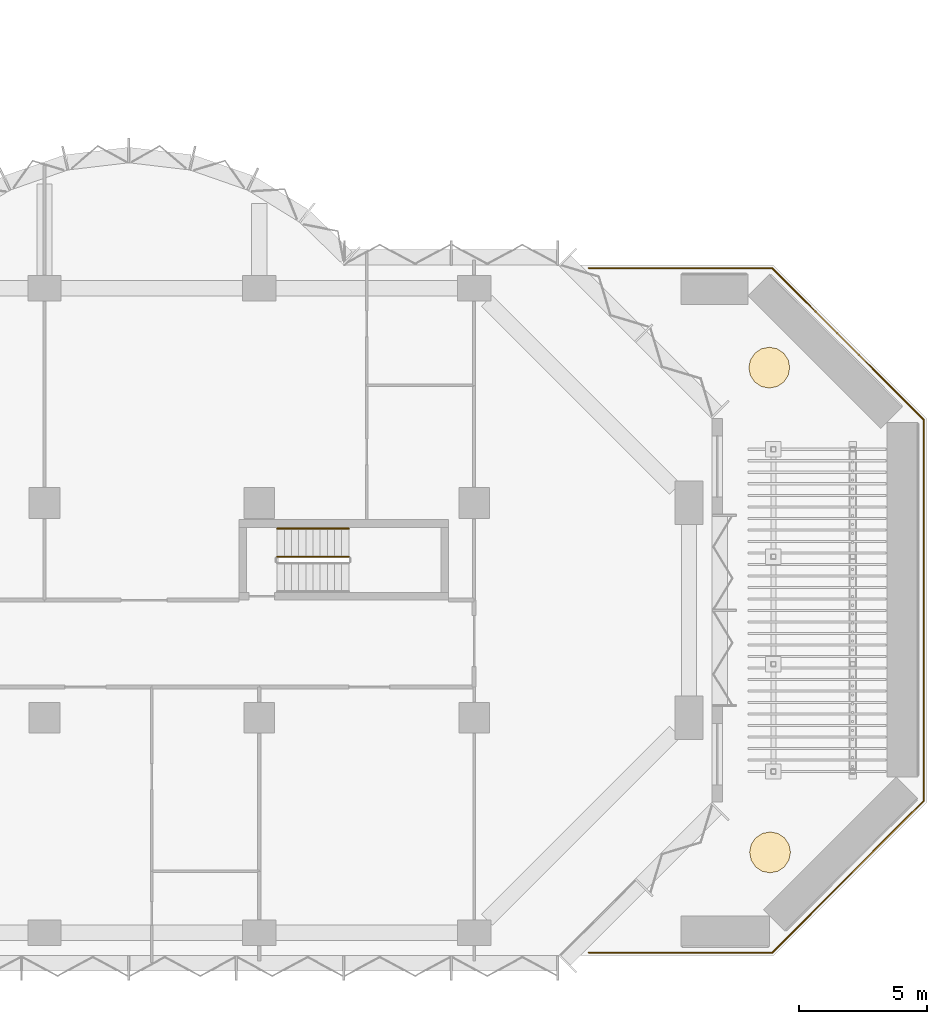
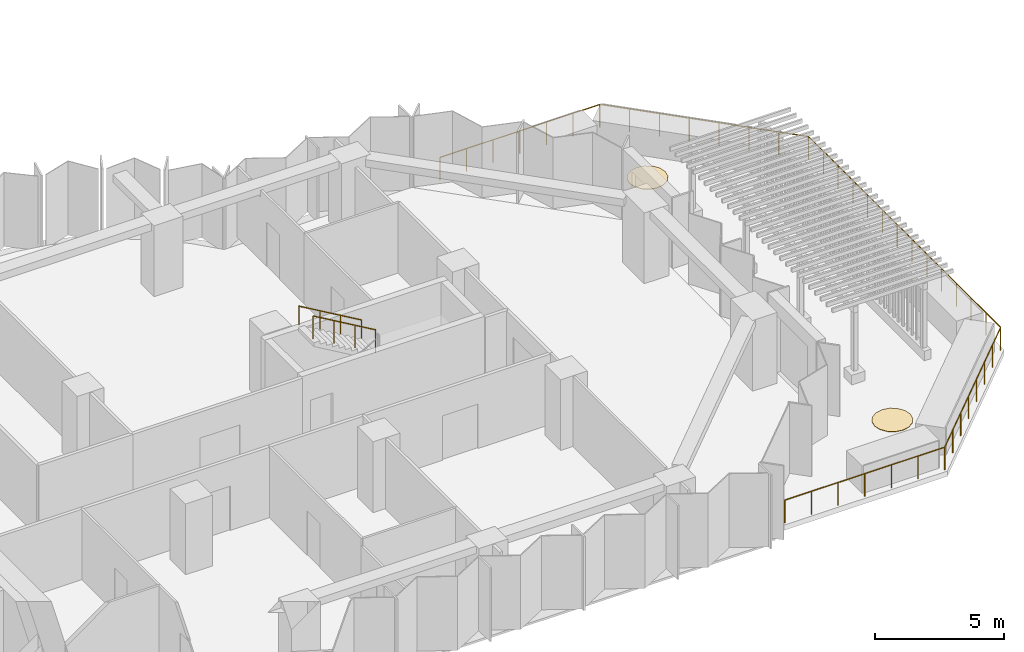
# One storey, part 18 of 18: 4 railings, 2 coverings.
"""IFC4 building model written with IfcOpenShell, lengths in metres."""

from ifc_helpers import new_model, si_unit, direction, frame, origin, origin_2d, place, context, subcontext, project, spatial, polyline, circle, outline, extrude, material, layer, layer_set, type_object, element, save


model = new_model("IFC4")

# Units and contexts
model_context = context("Model", 3, precision=1e-05, world=origin(), true_north=direction((0.0, 1.0)))
body_context = subcontext(model_context, "Body", "Model", "MODEL_VIEW")
ifc_project = project(units=[si_unit("LENGTHUNIT", "METRE"), si_unit("AREAUNIT", "SQUARE_METRE"), si_unit("VOLUMEUNIT", "CUBIC_METRE"), si_unit("PLANEANGLEUNIT", "RADIAN"), si_unit("MASSUNIT", "GRAM", prefix="KILO")], contexts=[model_context])

# Site, building, storey
site_placement = place(None, origin())
site = spatial("IfcSite", under=ifc_project, at=site_placement, CompositionType="ELEMENT")
building_placement = place(site_placement, origin())
building = spatial("IfcBuilding", under=site, at=building_placement, Name="Brevane Broadcast Tower", CompositionType="ELEMENT")
storey_placement = place(building_placement, frame((0.0, 0.0, 134.89990234375)))
storey = spatial("IfcBuildingStorey", under=building, at=storey_placement, Name="L33", CompositionType="ELEMENT", Elevation=134.89990234375)

# Railings
ifc_material_1 = material(Name="Steel S355", Category="steel")
railing_type_1 = type_object("IfcRailingType", Name="Exit stair guard", PredefinedType="GUARDRAIL", material=ifc_material_1)
railing_1_placement = place(storey_placement, frame((45.5, 14.699951171875, 1.963623046875)))
element("IfcRailing", 1, at=railing_1_placement, inside=storey, type_object=railing_type_1, Name="L33 ST-4 stair guard 3", PredefinedType="GUARDRAIL", context=body_context, shape_type="SweptSolid", body=[
    extrude(circle(Radius=0.02392578125, at=origin_2d()), frame((0.0, 0.0, 1.076171875), z_axis=(-0.863360870873, 0.0, 0.504586966384), x_axis=(0.0, -1.0, 0.0)), (0.0, 0.0, 1.0), 3.2431640625),
    extrude(circle(Radius=0.02099609375, at=origin_2d()), origin(), (0.0, 0.0, 1.0), 1.052001953125),
    extrude(circle(Radius=0.02099609375, at=origin_2d()), frame((-0.933349609375, 0.0, 0.54541015625)), (0.0, 0.0, 1.0), 1.052001953125),
    extrude(circle(Radius=0.02099609375, at=origin_2d()), frame((-1.86669921875, 0.0, 1.091064453125)), (0.0, 0.0, 1.0), 1.052001953125),
    extrude(circle(Radius=0.02099609375, at=origin_2d()), frame((-2.800048828125, 0.0, 1.636474609375)), (0.0, 0.0, 1.0), 1.052001953125),
])
railing_type_2 = type_object("IfcRailingType", Name="Exit stair handrail", PredefinedType="HANDRAIL", material=ifc_material_1)
railing_2_placement = place(storey_placement, frame((45.5, 15.800048828125, 1.963623046875)))
element("IfcRailing", 2, at=railing_2_placement, inside=storey, type_object=railing_type_2, Name="L33 ST-4 stair handrail 2", PredefinedType="HANDRAIL", context=body_context, shape_type="SweptSolid", body=[
    extrude(circle(Radius=0.02392578125, at=origin_2d()), frame((0.0, 0.0, 0.8759765625), z_axis=(-0.863360870873, 0.0, 0.504586966384), x_axis=(0.0, -1.0, 0.0)), (0.0, 0.0, 1.0), 3.2431640625),
    extrude(circle(Radius=0.02099609375, at=origin_2d()), origin(), (0.0, 0.0, 1.0), 0.851806640625),
    extrude(circle(Radius=0.02099609375, at=origin_2d()), frame((-0.933349609375, 0.0, 0.54541015625)), (0.0, 0.0, 1.0), 0.851806640625),
    extrude(circle(Radius=0.02099609375, at=origin_2d()), frame((-1.86669921875, 0.0, 1.091064453125)), (0.0, 0.0, 1.0), 0.851806640625),
    extrude(circle(Radius=0.02099609375, at=origin_2d()), frame((-2.800048828125, 0.0, 1.636474609375)), (0.0, 0.0, 1.0), 0.851806640625),
])
ifc_material_2 = material(Name="Stainless steel 1.4404", Category="steel")
railing_type_3 = type_object("IfcRailingType", Name="Terrace guard 1100", PredefinedType="GUARDRAIL", material=ifc_material_2)
railing_3_placement = place(storey_placement, frame((67.97998046875, 20.05029296875, 0.0)))
element("IfcRailing", 3, at=railing_3_placement, inside=storey, type_object=railing_type_3, Name="Terrace guard L33-1", PredefinedType="GUARDRAIL", context=body_context, shape_type="SweptSolid", body=[
    extrude(circle(Radius=0.02392578125, at=origin_2d()), frame((0.0, 0.0, 1.076171875), z_axis=(0.0, -1.0, 0.0), x_axis=(1.0, 0.0, 0.0)), (0.0, 0.0, 1.0), 14.900634765625),
    extrude(circle(Radius=0.02392578125, at=origin_2d()), frame((0.0, -14.900634765625, 1.076171875), z_axis=(-0.707106781187, -0.707106781187, 0.0), x_axis=(0.707106781187, -0.707106781187, 0.0)), (0.0, 0.0, 1.0), 8.3857421875),
    extrude(circle(Radius=0.02392578125, at=origin_2d()), frame((-5.9296875, -20.830322265625, 1.076171875), z_axis=(-1.0, 0.0, 0.0), x_axis=(0.0, -1.0, 0.0)), (0.0, 0.0, 1.0), 7.1650390625),
    extrude(circle(Radius=0.02099609375, at=origin_2d()), origin(), (0.0, 0.0, 1.0), 1.052001953125),
    extrude(circle(Radius=0.02099609375, at=origin_2d()), frame((0.0, -1.146240234375, 0.0)), (0.0, 0.0, 1.0), 1.052001953125),
    extrude(circle(Radius=0.02099609375, at=origin_2d()), frame((0.0, -2.29248046875, 0.0)), (0.0, 0.0, 1.0), 1.052001953125),
    extrude(circle(Radius=0.02099609375, at=origin_2d()), frame((0.0, -3.438720703125, 0.0)), (0.0, 0.0, 1.0), 1.052001953125),
    extrude(circle(Radius=0.02099609375, at=origin_2d()), frame((0.0, -4.584716796875, 0.0)), (0.0, 0.0, 1.0), 1.052001953125),
    extrude(circle(Radius=0.02099609375, at=origin_2d()), frame((0.0, -5.73095703125, 0.0)), (0.0, 0.0, 1.0), 1.052001953125),
    extrude(circle(Radius=0.02099609375, at=origin_2d()), frame((0.0, -6.877197265625, 0.0)), (0.0, 0.0, 1.0), 1.052001953125),
    extrude(circle(Radius=0.02099609375, at=origin_2d()), frame((0.0, -8.0234375, 0.0)), (0.0, 0.0, 1.0), 1.052001953125),
    extrude(circle(Radius=0.02099609375, at=origin_2d()), frame((0.0, -9.169677734375, 0.0)), (0.0, 0.0, 1.0), 1.052001953125),
    extrude(circle(Radius=0.02099609375, at=origin_2d()), frame((0.0, -10.31591796875, 0.0)), (0.0, 0.0, 1.0), 1.052001953125),
    extrude(circle(Radius=0.02099609375, at=origin_2d()), frame((0.0, -11.4619140625, 0.0)), (0.0, 0.0, 1.0), 1.052001953125),
    extrude(circle(Radius=0.02099609375, at=origin_2d()), frame((0.0, -12.608154296875, 0.0)), (0.0, 0.0, 1.0), 1.052001953125),
    extrude(circle(Radius=0.02099609375, at=origin_2d()), frame((0.0, -13.75439453125, 0.0)), (0.0, 0.0, 1.0), 1.052001953125),
    extrude(circle(Radius=0.02099609375, at=origin_2d()), frame((0.0, -14.900634765625, 0.0)), (0.0, 0.0, 1.0), 1.052001953125),
    extrude(circle(Radius=0.02099609375, at=origin_2d()), frame((-0.84716796875, -15.747802734375, 0.0)), (0.0, 0.0, 1.0), 1.052001953125),
    extrude(circle(Radius=0.02099609375, at=origin_2d()), frame((-1.694091796875, -16.5947265625, 0.0)), (0.0, 0.0, 1.0), 1.052001953125),
    extrude(circle(Radius=0.02099609375, at=origin_2d()), frame((-2.541259765625, -17.44189453125, 0.0)), (0.0, 0.0, 1.0), 1.052001953125),
    extrude(circle(Radius=0.02099609375, at=origin_2d()), frame((-3.388427734375, -18.2890625, 0.0)), (0.0, 0.0, 1.0), 1.052001953125),
    extrude(circle(Radius=0.02099609375, at=origin_2d()), frame((-4.235595703125, -19.13623046875, 0.0)), (0.0, 0.0, 1.0), 1.052001953125),
    extrude(circle(Radius=0.02099609375, at=origin_2d()), frame((-5.08251953125, -19.983154296875, 0.0)), (0.0, 0.0, 1.0), 1.052001953125),
    extrude(circle(Radius=0.02099609375, at=origin_2d()), frame((-5.9296875, -20.830322265625, 0.0)), (0.0, 0.0, 1.0), 1.052001953125),
    extrude(circle(Radius=0.02099609375, at=origin_2d()), frame((-7.123779296875, -20.830322265625, 0.0)), (0.0, 0.0, 1.0), 1.052001953125),
    extrude(circle(Radius=0.02099609375, at=origin_2d()), frame((-8.318115234375, -20.830322265625, 0.0)), (0.0, 0.0, 1.0), 1.052001953125),
    extrude(circle(Radius=0.02099609375, at=origin_2d()), frame((-9.51220703125, -20.830322265625, 0.0)), (0.0, 0.0, 1.0), 1.052001953125),
    extrude(circle(Radius=0.02099609375, at=origin_2d()), frame((-10.706298828125, -20.830322265625, 0.0)), (0.0, 0.0, 1.0), 1.052001953125),
    extrude(circle(Radius=0.02099609375, at=origin_2d()), frame((-11.900634765625, -20.830322265625, 0.0)), (0.0, 0.0, 1.0), 1.052001953125),
    extrude(circle(Radius=0.02099609375, at=origin_2d()), frame((-13.0947265625, -20.830322265625, 0.0)), (0.0, 0.0, 1.0), 1.052001953125),
])
railing_4_placement = place(storey_placement, frame((54.88525390625, 25.97998046875, 0.0)))
element("IfcRailing", 4, at=railing_4_placement, inside=storey, type_object=railing_type_3, Name="Terrace guard L33-2", PredefinedType="GUARDRAIL", context=body_context, shape_type="SweptSolid", body=[
    extrude(circle(Radius=0.02392578125, at=origin_2d()), frame((0.0, 0.0, 1.076171875), z_axis=(1.0, 0.0, 0.0), x_axis=(0.0, 1.0, 0.0)), (0.0, 0.0, 1.0), 7.1650390625),
    extrude(circle(Radius=0.02392578125, at=origin_2d()), frame((7.1650390625, 0.0, 1.076171875), z_axis=(0.707106781187, -0.707106781187, 0.0), x_axis=(0.707106781187, 0.707106781187, 0.0)), (0.0, 0.0, 1.0), 8.3857421875),
    extrude(circle(Radius=0.02099609375, at=origin_2d()), origin(), (0.0, 0.0, 1.0), 1.052001953125),
    extrude(circle(Radius=0.02099609375, at=origin_2d()), frame((1.194091796875, 0.0, 0.0)), (0.0, 0.0, 1.0), 1.052001953125),
    extrude(circle(Radius=0.02099609375, at=origin_2d()), frame((2.388427734375, 0.0, 0.0)), (0.0, 0.0, 1.0), 1.052001953125),
    extrude(circle(Radius=0.02099609375, at=origin_2d()), frame((3.58251953125, 0.0, 0.0)), (0.0, 0.0, 1.0), 1.052001953125),
    extrude(circle(Radius=0.02099609375, at=origin_2d()), frame((4.776611328125, 0.0, 0.0)), (0.0, 0.0, 1.0), 1.052001953125),
    extrude(circle(Radius=0.02099609375, at=origin_2d()), frame((5.970947265625, 0.0, 0.0)), (0.0, 0.0, 1.0), 1.052001953125),
    extrude(circle(Radius=0.02099609375, at=origin_2d()), frame((7.1650390625, 0.0, 0.0)), (0.0, 0.0, 1.0), 1.052001953125),
    extrude(circle(Radius=0.02099609375, at=origin_2d()), frame((8.01220703125, -0.84716796875, 0.0)), (0.0, 0.0, 1.0), 1.052001953125),
    extrude(circle(Radius=0.02099609375, at=origin_2d()), frame((8.859130859375, -1.694091796875, 0.0)), (0.0, 0.0, 1.0), 1.052001953125),
    extrude(circle(Radius=0.02099609375, at=origin_2d()), frame((9.706298828125, -2.541259765625, 0.0)), (0.0, 0.0, 1.0), 1.052001953125),
    extrude(circle(Radius=0.02099609375, at=origin_2d()), frame((10.553466796875, -3.388427734375, 0.0)), (0.0, 0.0, 1.0), 1.052001953125),
    extrude(circle(Radius=0.02099609375, at=origin_2d()), frame((11.400634765625, -4.235595703125, 0.0)), (0.0, 0.0, 1.0), 1.052001953125),
    extrude(circle(Radius=0.02099609375, at=origin_2d()), frame((12.24755859375, -5.08251953125, 0.0)), (0.0, 0.0, 1.0), 1.052001953125),
    extrude(circle(Radius=0.02099609375, at=origin_2d()), frame((13.0947265625, -5.9296875, 0.0)), (0.0, 0.0, 1.0), 1.052001953125),
])

# Coverings
ifc_layer = layer(ifc_material_2, 0.02001953125)
ifc_layer_set = layer_set([ifc_layer], Name="Tree pit grating 20")
covering_type = type_object("IfcCoveringType", Name="Tree pit grating 20", PredefinedType="FLOORING", material=ifc_layer_set)
covering_1_placement = place(storey_placement, origin())
element("IfcCovering", 5, at=covering_1_placement, inside=storey, type_object=covering_type, Name="Tree pit L33-1", PredefinedType="FLOORING", context=body_context, shape_type="SweptSolid", body=[
    extrude(outline(polyline([(62.76806640625, 3.139892578125), (62.70703125, 3.446044921875), (62.53369140625, 3.70556640625), (62.274169921875, 3.879150390625), (61.968017578125, 3.93994140625), (61.661865234375, 3.879150390625), (61.40234375, 3.70556640625), (61.22900390625, 3.446044921875), (61.16796875, 3.139892578125), (61.22900390625, 2.833740234375), (61.40234375, 2.57421875), (61.661865234375, 2.40087890625), (61.968017578125, 2.33984375), (62.274169921875, 2.40087890625), (62.53369140625, 2.57421875), (62.70703125, 2.833740234375), (62.76806640625, 3.139892578125)])), origin(), (0.0, 0.0, 1.0), 0.02001953125),
])
covering_2_placement = place(storey_placement, origin())
element("IfcCovering", 6, at=covering_2_placement, inside=storey, type_object=covering_type, Name="Tree pit L33-2", PredefinedType="FLOORING", context=body_context, shape_type="SweptSolid", body=[
    extrude(outline(polyline([(62.73876953125, 22.08935546875), (62.677734375, 22.3955078125), (62.50439453125, 22.655029296875), (62.244873046875, 22.828369140625), (61.938720703125, 22.889404296875), (61.632568359375, 22.828369140625), (61.373046875, 22.655029296875), (61.19970703125, 22.3955078125), (61.138671875, 22.08935546875), (61.19970703125, 21.783203125), (61.373046875, 21.523681640625), (61.632568359375, 21.35009765625), (61.938720703125, 21.289306640625), (62.244873046875, 21.35009765625), (62.50439453125, 21.523681640625), (62.677734375, 21.783203125), (62.73876953125, 22.08935546875)])), origin(), (0.0, 0.0, 1.0), 0.02001953125),
])

save(model, "model.ifc")
